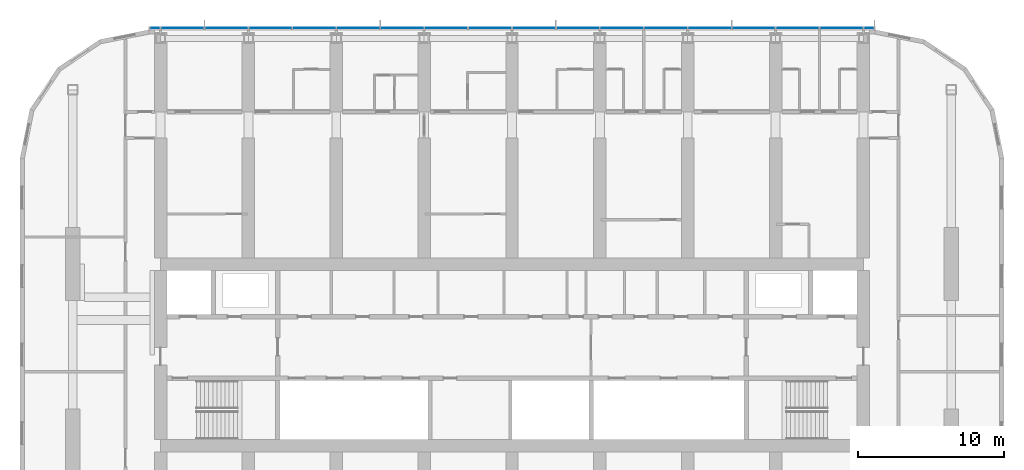
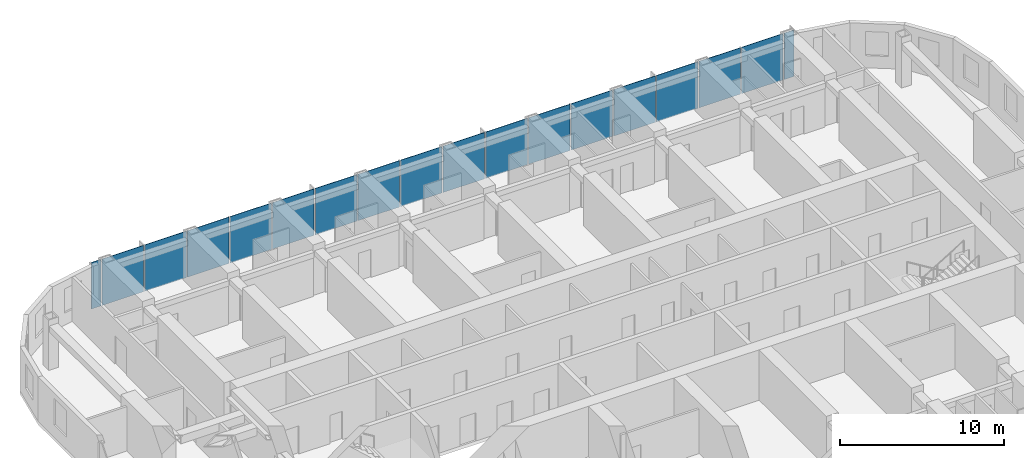
# One storey, part 9 of 23: 18 plates, 1 element without a shape of its own.
"""IFC4 building model written with IfcOpenShell, lengths in metres."""

from ifc_helpers import new_model, si_unit, direction, frame, origin, origin_2d, place, context, subcontext, project, spatial, rectangle, extrude, material, layer, layer_set, type_object, element, aggregate, save


model = new_model("IFC4")

# Units and contexts
model_context = context("Model", 3, precision=1e-05, world=origin(), true_north=direction((0.0, 1.0)))
body_context = subcontext(model_context, "Body", "Model", "MODEL_VIEW")
ifc_project = project(units=[si_unit("LENGTHUNIT", "METRE"), si_unit("AREAUNIT", "SQUARE_METRE"), si_unit("VOLUMEUNIT", "CUBIC_METRE"), si_unit("PLANEANGLEUNIT", "RADIAN"), si_unit("MASSUNIT", "GRAM", prefix="KILO")], contexts=[model_context])

# Site, building, storey
site_placement = place(None, origin())
site = spatial("IfcSite", under=ifc_project, at=site_placement, CompositionType="ELEMENT")
building_placement = place(site_placement, origin())
building = spatial("IfcBuilding", under=site, at=building_placement, Name="Orbita Commons", CompositionType="ELEMENT")
storey_placement = place(building_placement, frame((0.0, 0.0, 174.85009765625)))
storey = spatial("IfcBuildingStorey", under=building, at=storey_placement, Name="L43", CompositionType="ELEMENT", Elevation=174.85009765625)

# Curtain wall, plates
ifc_material_1 = material(Name="Anodised aluminium frame, pale silver", Category="aluminium")
curtain_wall_type = type_object("IfcCurtainWallType", Name="Unitised curtain wall CW-U, full-height vision", PredefinedType="NOTDEFINED", material=ifc_material_1)
curtain_wall_placement = place(storey_placement, origin())
curtain_wall = element("IfcCurtainWall", 1, at=curtain_wall_placement, inside=storey, type_object=curtain_wall_type, Name="Curtain wall north L43", PredefinedType="NOTDEFINED")
ifc_material_2 = material(Name="Clear double glazing", Category="glass")
ifc_layer = layer(ifc_material_2, 0.031982421875)
ifc_layer_set = layer_set([ifc_layer], Name="Clear double glazing")
plate_type = type_object("IfcPlateType", Name="Full-height vision panel, clear glazing 32", PredefinedType="CURTAIN_PANEL", material=ifc_layer_set)
plate_1_placement = place(storey_placement, frame((66.3798828125, 54.31005859375, -0.14990234375), z_axis=(0.0, 0.0, 1.0), x_axis=(-1.0, 0.0, 0.0)))
plate_1 = element("IfcPlate", 2, at=plate_1_placement, type_object=plate_type, Name="Panel 1.1 CW-L43-N", PredefinedType="CURTAIN_PANEL", context=body_context, shape_type="SweptSolid", body=[
    extrude(rectangle(XDim=0.679931640625, YDim=0.031982421875, at=origin_2d()), origin(), (0.0, 0.0, 1.0), 3.449951171875),
])
plate_2_placement = place(storey_placement, frame((64.5, 54.31005859375, -0.14990234375), z_axis=(0.0, 0.0, 1.0), x_axis=(-1.0, 0.0, 0.0)))
plate_2 = element("IfcPlate", 3, at=plate_2_placement, type_object=plate_type, Name="Panel 2.1 CW-L43-N", PredefinedType="CURTAIN_PANEL", context=body_context, shape_type="SweptSolid", body=[
    extrude(rectangle(XDim=2.919921875, YDim=0.031982421875, at=origin_2d()), origin(), (0.0, 0.0, 1.0), 3.449951171875),
])
plate_3_placement = place(storey_placement, frame((61.5, 54.31005859375, -0.14990234375), z_axis=(0.0, 0.0, 1.0), x_axis=(-1.0, 0.0, 0.0)))
plate_3 = element("IfcPlate", 4, at=plate_3_placement, type_object=plate_type, Name="Panel 3.1 CW-L43-N", PredefinedType="CURTAIN_PANEL", context=body_context, shape_type="SweptSolid", body=[
    extrude(rectangle(XDim=2.919921875, YDim=0.031982421875, at=origin_2d()), origin(), (0.0, 0.0, 1.0), 3.449951171875),
])
plate_4_placement = place(storey_placement, frame((58.5, 54.31005859375, -0.14990234375), z_axis=(0.0, 0.0, 1.0), x_axis=(-1.0, 0.0, 0.0)))
plate_4 = element("IfcPlate", 5, at=plate_4_placement, type_object=plate_type, Name="Panel 4.1 CW-L43-N", PredefinedType="CURTAIN_PANEL", context=body_context, shape_type="SweptSolid", body=[
    extrude(rectangle(XDim=2.919921875, YDim=0.031982421875, at=origin_2d()), origin(), (0.0, 0.0, 1.0), 3.449951171875),
])
plate_5_placement = place(storey_placement, frame((55.5, 54.31005859375, -0.14990234375), z_axis=(0.0, 0.0, 1.0), x_axis=(-1.0, 0.0, 0.0)))
plate_5 = element("IfcPlate", 6, at=plate_5_placement, type_object=plate_type, Name="Panel 5.1 CW-L43-N", PredefinedType="CURTAIN_PANEL", context=body_context, shape_type="SweptSolid", body=[
    extrude(rectangle(XDim=2.919921875, YDim=0.031982421875, at=origin_2d()), origin(), (0.0, 0.0, 1.0), 3.449951171875),
])
plate_6_placement = place(storey_placement, frame((52.5, 54.31005859375, -0.14990234375), z_axis=(0.0, 0.0, 1.0), x_axis=(-1.0, 0.0, 0.0)))
plate_6 = element("IfcPlate", 7, at=plate_6_placement, type_object=plate_type, Name="Panel 6.1 CW-L43-N", PredefinedType="CURTAIN_PANEL", context=body_context, shape_type="SweptSolid", body=[
    extrude(rectangle(XDim=2.919921875, YDim=0.031982421875, at=origin_2d()), origin(), (0.0, 0.0, 1.0), 3.449951171875),
])
plate_7_placement = place(storey_placement, frame((49.5, 54.31005859375, -0.14990234375), z_axis=(0.0, 0.0, 1.0), x_axis=(-1.0, 0.0, 0.0)))
plate_7 = element("IfcPlate", 8, at=plate_7_placement, type_object=plate_type, Name="Panel 7.1 CW-L43-N", PredefinedType="CURTAIN_PANEL", context=body_context, shape_type="SweptSolid", body=[
    extrude(rectangle(XDim=2.919921875, YDim=0.031982421875, at=origin_2d()), origin(), (0.0, 0.0, 1.0), 3.449951171875),
])
plate_8_placement = place(storey_placement, frame((46.5, 54.31005859375, -0.14990234375), z_axis=(0.0, 0.0, 1.0), x_axis=(-1.0, 0.0, 0.0)))
plate_8 = element("IfcPlate", 9, at=plate_8_placement, type_object=plate_type, Name="Panel 8.1 CW-L43-N", PredefinedType="CURTAIN_PANEL", context=body_context, shape_type="SweptSolid", body=[
    extrude(rectangle(XDim=2.919921875, YDim=0.031982421875, at=origin_2d()), origin(), (0.0, 0.0, 1.0), 3.449951171875),
])
plate_9_placement = place(storey_placement, frame((43.5, 54.31005859375, -0.14990234375), z_axis=(0.0, 0.0, 1.0), x_axis=(-1.0, 0.0, 0.0)))
plate_9 = element("IfcPlate", 10, at=plate_9_placement, type_object=plate_type, Name="Panel 9.1 CW-L43-N", PredefinedType="CURTAIN_PANEL", context=body_context, shape_type="SweptSolid", body=[
    extrude(rectangle(XDim=2.919921875, YDim=0.031982421875, at=origin_2d()), origin(), (0.0, 0.0, 1.0), 3.449951171875),
])
plate_10_placement = place(storey_placement, frame((40.5, 54.31005859375, -0.14990234375), z_axis=(0.0, 0.0, 1.0), x_axis=(-1.0, 0.0, 0.0)))
plate_10 = element("IfcPlate", 11, at=plate_10_placement, type_object=plate_type, Name="Panel 10.1 CW-L43-N", PredefinedType="CURTAIN_PANEL", context=body_context, shape_type="SweptSolid", body=[
    extrude(rectangle(XDim=2.919921875, YDim=0.031982421875, at=origin_2d()), origin(), (0.0, 0.0, 1.0), 3.449951171875),
])
plate_11_placement = place(storey_placement, frame((37.5, 54.31005859375, -0.14990234375), z_axis=(0.0, 0.0, 1.0), x_axis=(-1.0, 0.0, 0.0)))
plate_11 = element("IfcPlate", 12, at=plate_11_placement, type_object=plate_type, Name="Panel 11.1 CW-L43-N", PredefinedType="CURTAIN_PANEL", context=body_context, shape_type="SweptSolid", body=[
    extrude(rectangle(XDim=2.919921875, YDim=0.031982421875, at=origin_2d()), origin(), (0.0, 0.0, 1.0), 3.449951171875),
])
plate_12_placement = place(storey_placement, frame((34.5, 54.31005859375, -0.14990234375), z_axis=(0.0, 0.0, 1.0), x_axis=(-1.0, 0.0, 0.0)))
plate_12 = element("IfcPlate", 13, at=plate_12_placement, type_object=plate_type, Name="Panel 12.1 CW-L43-N", PredefinedType="CURTAIN_PANEL", context=body_context, shape_type="SweptSolid", body=[
    extrude(rectangle(XDim=2.919921875, YDim=0.031982421875, at=origin_2d()), origin(), (0.0, 0.0, 1.0), 3.449951171875),
])
plate_13_placement = place(storey_placement, frame((31.5, 54.31005859375, -0.14990234375), z_axis=(0.0, 0.0, 1.0), x_axis=(-1.0, 0.0, 0.0)))
plate_13 = element("IfcPlate", 14, at=plate_13_placement, type_object=plate_type, Name="Panel 13.1 CW-L43-N", PredefinedType="CURTAIN_PANEL", context=body_context, shape_type="SweptSolid", body=[
    extrude(rectangle(XDim=2.919921875, YDim=0.031982421875, at=origin_2d()), origin(), (0.0, 0.0, 1.0), 3.449951171875),
])
plate_14_placement = place(storey_placement, frame((28.5, 54.31005859375, -0.14990234375), z_axis=(0.0, 0.0, 1.0), x_axis=(-1.0, 0.0, 0.0)))
plate_14 = element("IfcPlate", 15, at=plate_14_placement, type_object=plate_type, Name="Panel 14.1 CW-L43-N", PredefinedType="CURTAIN_PANEL", context=body_context, shape_type="SweptSolid", body=[
    extrude(rectangle(XDim=2.919921875, YDim=0.031982421875, at=origin_2d()), origin(), (0.0, 0.0, 1.0), 3.449951171875),
])
plate_15_placement = place(storey_placement, frame((25.5, 54.31005859375, -0.14990234375), z_axis=(0.0, 0.0, 1.0), x_axis=(-1.0, 0.0, 0.0)))
plate_15 = element("IfcPlate", 16, at=plate_15_placement, type_object=plate_type, Name="Panel 15.1 CW-L43-N", PredefinedType="CURTAIN_PANEL", context=body_context, shape_type="SweptSolid", body=[
    extrude(rectangle(XDim=2.919921875, YDim=0.031982421875, at=origin_2d()), origin(), (0.0, 0.0, 1.0), 3.449951171875),
])
plate_16_placement = place(storey_placement, frame((22.5, 54.31005859375, -0.14990234375), z_axis=(0.0, 0.0, 1.0), x_axis=(-1.0, 0.0, 0.0)))
plate_16 = element("IfcPlate", 17, at=plate_16_placement, type_object=plate_type, Name="Panel 16.1 CW-L43-N", PredefinedType="CURTAIN_PANEL", context=body_context, shape_type="SweptSolid", body=[
    extrude(rectangle(XDim=2.919921875, YDim=0.031982421875, at=origin_2d()), origin(), (0.0, 0.0, 1.0), 3.449951171875),
])
plate_17_placement = place(storey_placement, frame((19.5, 54.31005859375, -0.14990234375), z_axis=(0.0, 0.0, 1.0), x_axis=(-1.0, 0.0, 0.0)))
plate_17 = element("IfcPlate", 18, at=plate_17_placement, type_object=plate_type, Name="Panel 17.1 CW-L43-N", PredefinedType="CURTAIN_PANEL", context=body_context, shape_type="SweptSolid", body=[
    extrude(rectangle(XDim=2.919921875, YDim=0.031982421875, at=origin_2d()), origin(), (0.0, 0.0, 1.0), 3.449951171875),
])
plate_18_placement = place(storey_placement, frame((17.6201171875, 54.31005859375, -0.14990234375), z_axis=(0.0, 0.0, 1.0), x_axis=(-1.0, 0.0, 0.0)))
plate_18 = element("IfcPlate", 19, at=plate_18_placement, type_object=plate_type, Name="Panel 18.1 CW-L43-N", PredefinedType="CURTAIN_PANEL", context=body_context, shape_type="SweptSolid", body=[
    extrude(rectangle(XDim=0.679931640625, YDim=0.031982421875, at=origin_2d()), origin(), (0.0, 0.0, 1.0), 3.449951171875),
])
aggregate(curtain_wall, [plate_1, plate_2, plate_3, plate_4, plate_5, plate_6, plate_7, plate_8, plate_9, plate_10, plate_11, plate_12, plate_13, plate_14, plate_15, plate_16, plate_17, plate_18])

save(model, "model.ifc")
